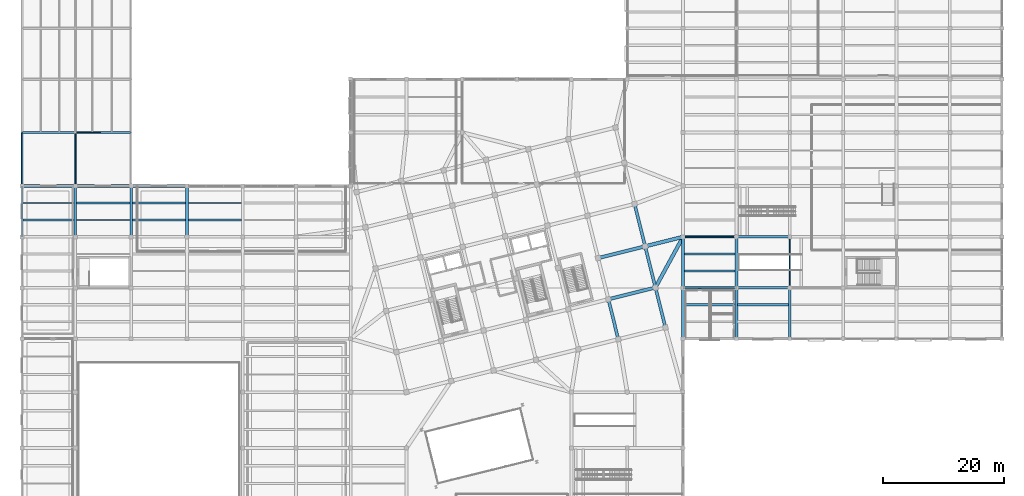
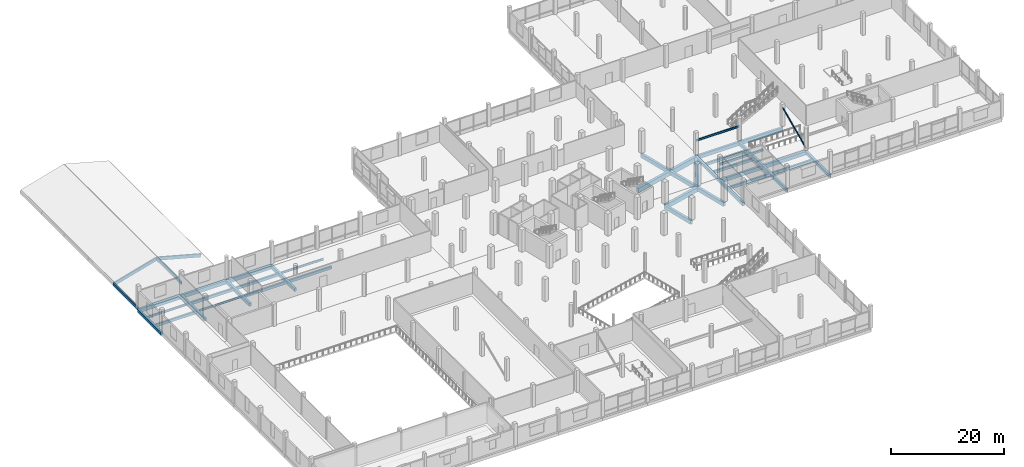
# One storey, part 25 of 71: 42 beams, 1 member.
"""IFC4 building model written with IfcOpenShell, lengths in metres."""

from ifc_helpers import new_model, si_unit, direction, frame, origin, origin_2d, place, context, subcontext, project, spatial, rectangle, hollow_circle, i_section, extrude, material, material_profile, profile_set, type_object, element, save


model = new_model("IFC4")

# Units and contexts
model_context = context("Model", 3, precision=1e-05, world=origin(), true_north=direction((0.0, 1.0)))
body_context = subcontext(model_context, "Body", "Model", "MODEL_VIEW")
ifc_project = project(units=[si_unit("LENGTHUNIT", "METRE"), si_unit("AREAUNIT", "SQUARE_METRE"), si_unit("VOLUMEUNIT", "CUBIC_METRE"), si_unit("PLANEANGLEUNIT", "RADIAN"), si_unit("MASSUNIT", "GRAM", prefix="KILO")], contexts=[model_context])

# Site, building, storey
site_placement = place(None, origin())
site = spatial("IfcSite", under=ifc_project, at=site_placement, CompositionType="ELEMENT")
building_placement = place(site_placement, origin())
building = spatial("IfcBuilding", under=site, at=building_placement, Name="Meriwether Solvik Hall", CompositionType="ELEMENT")
storey_placement = place(building_placement, frame((0.0, 0.0, 5.10009765625)))
storey = spatial("IfcBuildingStorey", under=building, at=storey_placement, Name="L01", CompositionType="ELEMENT", Elevation=5.10009765625)

# Beams
ifc_material_1 = material(Name="Glulam Douglas-Fir 24F-V8 GL28h", Category="wood")
ifc_material_profile_1 = material_profile(ifc_material_1, rectangle(XDim=0.27294921875, YDim=0.610107421875, at=origin_2d()), Name="GLB-273X610")
ifc_profile_set_1 = profile_set([ifc_material_profile_1], Name="Glulam Douglas-Fir 24F-V8 GL28h")
beam_type_1 = type_object("IfcBeamType", Name="BM-GL-273X610", PredefinedType="SPANDREL", material=ifc_profile_set_1)
for number, where, z_axis, x_axis, name in (
    (1, (5.199951171875, 75.199951171875, -0.32421875), (0.0, 1.0, 0.0), (-1.0, 0.0, 0.0), "Roof Tie Beam 1:I-J (L01)"),
    (2, (14.0, 75.199951171875, 2.15576171875), (0.0, 1.0, 0.0), (-1.0, 0.0, 0.0), "Roof Tie Beam 2:I-J (L01)"),
):
    element("IfcBeam", number, at=place(storey_placement, frame(where, z_axis=z_axis, x_axis=x_axis)), inside=storey, type_object=beam_type_1, Name=name, PredefinedType="SPANDREL", context=body_context, shape_type="SweptSolid", body=[
        extrude(rectangle(XDim=0.27294921875, YDim=0.610107421875, at=origin_2d()), origin(), (0.0, 0.0, 1.0), 8.800048828125),
    ])
ifc_material_2 = material(Name="Glulam Douglas-Fir 24F-V8 GL28h", Category="wood")
ifc_material_profile_2 = material_profile(ifc_material_2, rectangle(XDim=0.27294921875, YDim=0.68505859375, at=origin_2d()), Name="GLB-273X685")
ifc_profile_set_2 = profile_set([ifc_material_profile_2], Name="Glulam Douglas-Fir 24F-V8 GL28h")
beam_type_2 = type_object("IfcBeamType", Name="BM-GL-273X685", PredefinedType="BEAM", material=ifc_profile_set_2)
beam_1_placement = place(storey_placement, frame((5.4208984375, 84.0, -0.31298828125), z_axis=(0.962504746474, 0.0, 0.271264839252), x_axis=(0.0, 1.0, 0.0)))
element("IfcBeam", 3, at=beam_1_placement, inside=storey, type_object=beam_type_2, Name="Raking Glulam Roof Rafter w0_gbl_w-J (L01)", PredefinedType="BEAM", context=body_context, shape_type="SweptSolid", body=[
    extrude(rectangle(XDim=0.27294921875, YDim=0.68505859375, at=origin_2d()), origin(), (0.0, 0.0, 1.0), 8.876708984375),
])
beam_2_placement = place(storey_placement, frame((22.98291015625, 84.0, -0.31494140625), z_axis=(-0.965538102736, 0.0, 0.260261737806), x_axis=(0.0, -1.0, 0.0)))
element("IfcBeam", 4, at=beam_2_placement, inside=storey, type_object=beam_type_2, Name="Raking Glulam Roof Rafter w0_gbl_e-J (L01)", PredefinedType="BEAM", context=body_context, shape_type="SweptSolid", body=[
    extrude(rectangle(XDim=0.27294921875, YDim=0.68505859375, at=origin_2d()), origin(), (0.0, 0.0, 1.0), 9.263427734375),
])
ifc_material_3 = material(Name="Concrete C40/50", Category="concrete")
ifc_material_profile_3 = material_profile(ifc_material_3, rectangle(XDim=0.300048828125, YDim=0.449951171875, at=origin_2d()), Name="RCB-300X450")
ifc_profile_set_3 = profile_set([ifc_material_profile_3], Name="Concrete C40/50")
beam_type_3 = type_object("IfcBeamType", Name="BM-RC-300X450", PredefinedType="LINTEL", material=ifc_profile_set_3)
beam_3_placement = place(storey_placement, frame((114.199951171875, 58.39990234375, 2.9248046875), z_axis=(1.0, 0.0, 0.0), x_axis=(0.0, 1.0, 0.0)))
element("IfcBeam", 5, at=beam_3_placement, inside=storey, type_object=beam_type_3, Name="Galleria Portal Lintel G:13-14 (L01)", PredefinedType="LINTEL", context=body_context, shape_type="SweptSolid", body=[
    extrude(rectangle(XDim=0.300048828125, YDim=0.449951171875, at=origin_2d()), origin(), (0.0, 0.0, 1.0), 8.800048828125),
])
ifc_material_4 = material(Name="Concrete C40/50", Category="concrete")
ifc_material_profile_4 = material_profile(ifc_material_4, rectangle(XDim=0.35009765625, YDim=0.60009765625, at=origin_2d()), Name="RCB-350X600")
ifc_profile_set_4 = profile_set([ifc_material_profile_4], Name="Concrete C40/50")
beam_type_4 = type_object("IfcBeamType", Name="BM-RC-350X600", PredefinedType="JOIST", material=ifc_profile_set_4)
beam_4_placement = place(storey_placement, frame((5.39501953125, 69.60009765625, -0.60009765625), z_axis=(1.0, 0.0, 0.0), x_axis=(0.0, 1.0, 0.0)))
element("IfcBeam", 6, at=beam_4_placement, inside=storey, type_object=beam_type_4, Name="Secondary Floor Joist 1/H_J1 (L01)", PredefinedType="JOIST", context=body_context, shape_type="SweptSolid", body=[
    extrude(rectangle(XDim=0.35009765625, YDim=0.60009765625, at=origin_2d()), origin(), (0.0, 0.0, 1.0), 8.385009765625),
])
for number, where, z_axis, x_axis, name in (
    (7, (14.219970703125, 72.39990234375, -0.60009765625), (1.0, 0.0, 0.0), (0.0, 1.0, 0.0), "Secondary Floor Joist 2/H_J2 (L01)"),
    (8, (23.419921875, 69.60009765625, -0.60009765625), (1.0, 0.0, 0.0), (0.0, 1.0, 0.0), "Secondary Floor Joist 3/H_J1 (L01)"),
    (9, (23.419921875, 72.39990234375, -0.60009765625), (1.0, 0.0, 0.0), (0.0, 1.0, 0.0), "Secondary Floor Joist 3/H_J2 (L01)"),
):
    element("IfcBeam", number, at=place(storey_placement, frame(where, z_axis=z_axis, x_axis=x_axis)), inside=storey, type_object=beam_type_4, Name=name, PredefinedType="JOIST", context=body_context, shape_type="SweptSolid", body=[
        extrude(rectangle(XDim=0.35009765625, YDim=0.60009765625, at=origin_2d()), origin(), (0.0, 0.0, 1.0), 8.760009765625),
    ])
beam_5_placement = place(storey_placement, frame((32.6201171875, 69.60009765625, -0.60009765625), z_axis=(1.0, 0.0, 0.0), x_axis=(0.0, 1.0, 0.0)))
element("IfcBeam", 10, at=beam_5_placement, inside=storey, type_object=beam_type_4, Name="Secondary Floor Joist 4/H_J1 (L01)", PredefinedType="JOIST", context=body_context, shape_type="SweptSolid", body=[
    extrude(rectangle(XDim=0.35009765625, YDim=0.60009765625, at=origin_2d()), origin(), (0.0, 0.0, 1.0), 8.759765625),
])
for number, where, z_axis, x_axis, name in (
    (11, (114.419921875, 55.60009765625, -0.60009765625), (1.0, 0.0, 0.0), (0.0, 1.0, 0.0), "Secondary Floor Joist 13/F_J2 (L01)"),
    (12, (114.419921875, 61.199951171875, -0.60009765625), (1.0, 0.0, 0.0), (0.0, 1.0, 0.0), "Secondary Floor Joist 13/G_J1 (L01)"),
    (13, (114.419921875, 64.0, -0.60009765625), (1.0, 0.0, 0.0), (0.0, 1.0, 0.0), "Secondary Floor Joist 13/G_J2 (L01)"),
    (14, (123.219970703125, 55.60009765625, -0.60009765625), (1.0, 0.0, 0.0), (0.0, 1.0, 0.0), "Secondary Floor Joist 14/F_J2 (L01)"),
):
    element("IfcBeam", number, at=place(storey_placement, frame(where, z_axis=z_axis, x_axis=x_axis)), inside=storey, type_object=beam_type_4, Name=name, PredefinedType="JOIST", context=body_context, shape_type="SweptSolid", body=[
        extrude(rectangle(XDim=0.35009765625, YDim=0.60009765625, at=origin_2d()), origin(), (0.0, 0.0, 1.0), 8.360107421875),
    ])
ifc_material_5 = material(Name="Concrete C40/50", Category="concrete")
ifc_material_profile_5 = material_profile(ifc_material_5, rectangle(XDim=0.39990234375, YDim=0.64990234375, at=origin_2d()), Name="RCB-400X650")
ifc_profile_set_5 = profile_set([ifc_material_profile_5], Name="Concrete C40/50")
beam_type_5 = type_object("IfcBeamType", Name="BM-RC-400X650", PredefinedType="SPANDREL", material=ifc_profile_set_5)
beam_6_placement = place(storey_placement, frame((5.199951171875, 66.800048828125, -0.625), z_axis=(0.0, 1.0, 0.0), x_axis=(-1.0, 0.0, 0.0)))
element("IfcBeam", 15, at=beam_6_placement, inside=storey, type_object=beam_type_5, Name="Podium Girder 1:H-I (L01)", PredefinedType="SPANDREL", context=body_context, shape_type="SweptSolid", body=[
    extrude(rectangle(XDim=0.39990234375, YDim=0.64990234375, at=origin_2d()), origin(), (0.0, 0.0, 1.0), 8.39990234375),
])
ifc_material_6 = material(Name="Concrete C40/50", Category="concrete")
ifc_material_profile_6 = material_profile(ifc_material_6, rectangle(XDim=0.449951171875, YDim=0.699951171875, at=origin_2d()), Name="RCB-450X700")
ifc_profile_set_6 = profile_set([ifc_material_profile_6], Name="Concrete C40/50")
beam_type_6 = type_object("IfcBeamType", Name="BM-RC-450X700", PredefinedType="BEAM", material=ifc_profile_set_6)
for number, where, z_axis, x_axis, name in (
    (16, (14.0, 66.800048828125, -0.650146484375), (0.0, 1.0, 0.0), (-1.0, 0.0, 0.0), "Podium Girder 2:H-I (L01)"),
    (17, (23.199951171875, 66.800048828125, -0.650146484375), (0.0, 1.0, 0.0), (-1.0, 0.0, 0.0), "Podium Girder 3:H-I (L01)"),
    (18, (32.39990234375, 66.800048828125, -0.650146484375), (0.0, 1.0, 0.0), (-1.0, 0.0, 0.0), "Podium Girder 4:H-I (L01)"),
    (19, (114.199951171875, 50.0, -0.650146484375), (0.0, 1.0, 0.0), (-1.0, 0.0, 0.0), "Podium Girder 13:F-G (L01)"),
):
    element("IfcBeam", number, at=place(storey_placement, frame(where, z_axis=z_axis, x_axis=x_axis)), inside=storey, type_object=beam_type_6, Name=name, PredefinedType="BEAM", context=body_context, shape_type="SweptSolid", body=[
        extrude(rectangle(XDim=0.449951171875, YDim=0.699951171875, at=origin_2d()), origin(), (0.0, 0.0, 1.0), 8.39990234375),
    ])
beam_7_placement = place(storey_placement, frame((114.199951171875, 58.39990234375, -0.650146484375), z_axis=(0.0, 1.0, 0.0), x_axis=(-1.0, 0.0, 0.0)))
element("IfcBeam", 20, at=beam_7_placement, inside=storey, type_object=beam_type_6, Name="Podium Girder 13:G-H (L01)", PredefinedType="BEAM", context=body_context, shape_type="SweptSolid", body=[
    extrude(rectangle(XDim=0.449951171875, YDim=0.699951171875, at=origin_2d()), origin(), (0.0, 0.0, 1.0), 8.400146484375),
])
beam_8_placement = place(storey_placement, frame((123.0, 50.0, -0.650146484375), z_axis=(0.0, 1.0, 0.0), x_axis=(-1.0, 0.0, 0.0)))
element("IfcBeam", 21, at=beam_8_placement, inside=storey, type_object=beam_type_6, Name="Podium Girder 14:F-G (L01)", PredefinedType="BEAM", context=body_context, shape_type="SweptSolid", body=[
    extrude(rectangle(XDim=0.449951171875, YDim=0.699951171875, at=origin_2d()), origin(), (0.0, 0.0, 1.0), 8.39990234375),
])
beam_9_placement = place(storey_placement, frame((123.0, 58.39990234375, -0.650146484375), z_axis=(0.0, 1.0, 0.0), x_axis=(-1.0, 0.0, 0.0)))
element("IfcBeam", 22, at=beam_9_placement, inside=storey, type_object=beam_type_6, Name="Podium Girder 14:G-H (L01)", PredefinedType="BEAM", context=body_context, shape_type="SweptSolid", body=[
    extrude(rectangle(XDim=0.449951171875, YDim=0.699951171875, at=origin_2d()), origin(), (0.0, 0.0, 1.0), 8.400146484375),
])
beam_10_placement = place(storey_placement, frame((131.800048828125, 50.0, -0.650146484375), z_axis=(0.0, 1.0, 0.0), x_axis=(-1.0, 0.0, 0.0)))
element("IfcBeam", 23, at=beam_10_placement, inside=storey, type_object=beam_type_6, Name="Podium Girder 15:F-G (L01)", PredefinedType="BEAM", context=body_context, shape_type="SweptSolid", body=[
    extrude(rectangle(XDim=0.449951171875, YDim=0.699951171875, at=origin_2d()), origin(), (0.0, 0.0, 1.0), 8.39990234375),
])
ifc_material_7 = material(Name="Concrete C40/50", Category="concrete")
ifc_material_profile_7 = material_profile(ifc_material_7, rectangle(XDim=0.449951171875, YDim=0.800048828125, at=origin_2d()), Name="RCB-450X800")
ifc_profile_set_7 = profile_set([ifc_material_profile_7], Name="Concrete C40/50")
beam_type_7 = type_object("IfcBeamType", Name="BM-RC-450X800", PredefinedType="BEAM", material=ifc_profile_set_7)
for number, where, z_axis, x_axis, name in (
    (24, (114.199951171875, 58.39990234375, -0.7001953125), (1.0, 0.0, 0.0), (0.0, 1.0, 0.0), "Podium Girder G:13-14 (L01)"),
    (25, (123.0, 58.39990234375, -0.7001953125), (1.0, 0.0, 0.0), (0.0, 1.0, 0.0), "Podium Girder G:14-15 (L01)"),
    (26, (114.199951171875, 66.800048828125, -0.7001953125), (1.0, 0.0, 0.0), (0.0, 1.0, 0.0), "Podium Girder H:13-14 (L01)"),
    (27, (123.0, 66.800048828125, -0.7001953125), (1.0, 0.0, 0.0), (0.0, 1.0, 0.0), "Podium Girder H:14-15 (L01)"),
    (28, (5.199951171875, 75.199951171875, -0.7001953125), (1.0, 0.0, 0.0), (0.0, 1.0, 0.0), "Podium Girder I:1-2 (L01)"),
):
    element("IfcBeam", number, at=place(storey_placement, frame(where, z_axis=z_axis, x_axis=x_axis)), inside=storey, type_object=beam_type_7, Name=name, PredefinedType="BEAM", context=body_context, shape_type="SweptSolid", body=[
        extrude(rectangle(XDim=0.449951171875, YDim=0.800048828125, at=origin_2d()), origin(), (0.0, 0.0, 1.0), 8.800048828125),
    ])
for number, where, z_axis, x_axis, name in (
    (29, (14.0, 75.199951171875, -0.7001953125), (1.0, 0.0, 0.0), (0.0, 1.0, 0.0), "Podium Girder I:2-3 (L01)"),
    (30, (23.199951171875, 75.199951171875, -0.7001953125), (1.0, 0.0, 0.0), (0.0, 1.0, 0.0), "Podium Girder I:3-4 (L01)"),
):
    element("IfcBeam", number, at=place(storey_placement, frame(where, z_axis=z_axis, x_axis=x_axis)), inside=storey, type_object=beam_type_7, Name=name, PredefinedType="BEAM", context=body_context, shape_type="SweptSolid", body=[
        extrude(rectangle(XDim=0.449951171875, YDim=0.800048828125, at=origin_2d()), origin(), (0.0, 0.0, 1.0), 9.199951171875),
    ])
ifc_material_8 = material(Name="Concrete C40/50", Category="concrete")
ifc_material_profile_8 = material_profile(ifc_material_8, rectangle(XDim=0.5, YDim=0.85009765625, at=origin_2d()), Name="RCB-500X850")
ifc_profile_set_8 = profile_set([ifc_material_profile_8], Name="Concrete C40/50")
beam_type_8 = type_object("IfcBeamType", Name="BM-RC-500X850", PredefinedType="BEAM", material=ifc_profile_set_8)
for number, where, z_axis, x_axis, name in (
    (31, (103.53076171875, 49.9091796875, -0.72509765625), (-0.2419526798, 0.970288050394, 0.0), (-0.970288050394, -0.2419526798, 0.0), "Tower Girder T6:TA-TB (L01)"),
    (32, (111.29296875, 51.844482421875, -0.72509765625), (-0.24191045034, 0.970298579828, 0.0), (-0.970298579828, -0.24191045034, 0.0), "Tower Girder T7:TA-TB (L01)"),
):
    element("IfcBeam", number, at=place(storey_placement, frame(where, z_axis=z_axis, x_axis=x_axis)), inside=storey, type_object=beam_type_8, Name=name, PredefinedType="BEAM", context=body_context, shape_type="SweptSolid", body=[
        extrude(rectangle(XDim=0.5, YDim=0.85009765625, at=origin_2d()), origin(), (0.0, 0.0, 1.0), 6.800048828125),
    ])
beam_11_placement = place(storey_placement, frame((109.64794921875, 58.442626953125, -0.72509765625), z_axis=(-0.241911879182, 0.970298223594, 0.0), x_axis=(-0.970298223594, -0.241911879182, 0.0)))
element("IfcBeam", 33, at=beam_11_placement, inside=storey, type_object=beam_type_8, Name="Tower Girder T7:TB-TC (L01)", PredefinedType="BEAM", context=body_context, shape_type="SweptSolid", body=[
    extrude(rectangle(XDim=0.5, YDim=0.85009765625, at=origin_2d()), origin(), (0.0, 0.0, 1.0), 7.0),
])
beam_12_placement = place(storey_placement, frame((107.95458984375, 65.234619140625, -0.72509765625), z_axis=(-0.241937193493, 0.970291911955, 0.0), x_axis=(-0.970291911955, -0.241937193493, 0.0)))
element("IfcBeam", 34, at=beam_12_placement, inside=storey, type_object=beam_type_8, Name="Tower Girder T7:TC-TD (L01)", PredefinedType="BEAM", context=body_context, shape_type="SweptSolid", body=[
    extrude(rectangle(XDim=0.5, YDim=0.85009765625, at=origin_2d()), origin(), (0.0, 0.0, 1.0), 7.199951171875),
])
ifc_material_9 = material(Name="Concrete C40/50", Category="concrete")
ifc_material_profile_9 = material_profile(ifc_material_9, rectangle(XDim=0.550048828125, YDim=0.949951171875, at=origin_2d()), Name="RCB-550X950")
ifc_profile_set_9 = profile_set([ifc_material_profile_9], Name="Concrete C40/50")
beam_type_9 = type_object("IfcBeamType", Name="BM-RC-550X950", PredefinedType="BEAM", material=ifc_profile_set_9)
beam_13_placement = place(storey_placement, frame((101.885498046875, 56.507080078125, -0.775146484375), z_axis=(0.970291312354, 0.241939598187, 0.0), x_axis=(-0.241939598187, 0.970291312354, 0.0)))
element("IfcBeam", 35, at=beam_13_placement, inside=storey, type_object=beam_type_9, Name="Tower Girder TB:T6-T7 (L01)", PredefinedType="BEAM", context=body_context, shape_type="SweptSolid", body=[
    extrude(rectangle(XDim=0.550048828125, YDim=0.949951171875, at=origin_2d()), origin(), (0.0, 0.0, 1.0), 8.000244140625),
])
beam_14_placement = place(storey_placement, frame((100.192138671875, 63.29931640625, -0.775146484375), z_axis=(0.970298475929, 0.241910867076, 0.0), x_axis=(-0.241910867076, 0.970298475929, 0.0)))
element("IfcBeam", 36, at=beam_14_placement, inside=storey, type_object=beam_type_9, Name="Tower Girder TC:T6-T7 (L01)", PredefinedType="BEAM", context=body_context, shape_type="SweptSolid", body=[
    extrude(rectangle(XDim=0.550048828125, YDim=0.949951171875, at=origin_2d()), origin(), (0.0, 0.0, 1.0), 8.0),
])
ifc_material_10 = material(Name="Concrete C40/50", Category="concrete")
ifc_material_profile_10 = material_profile(ifc_material_10, rectangle(XDim=0.60009765625, YDim=1.050048828125, at=origin_2d()), Name="RCB-600X1050")
ifc_profile_set_10 = profile_set([ifc_material_profile_10], Name="Concrete C40/50")
beam_type_10 = type_object("IfcBeamType", Name="BM-RC-600X1050", PredefinedType="BEAM", material=ifc_profile_set_10)
beam_15_placement = place(storey_placement, frame((109.64794921875, 58.442626953125, -0.8251953125), z_axis=(0.478318210879, 0.878186591301, 0.0), x_axis=(-0.878186591301, 0.478318210879, 0.0)))
element("IfcBeam", 37, at=beam_15_placement, inside=storey, type_object=beam_type_10, Name="Diaphragm Collector Girder T7/TB-13/H (L01)", PredefinedType="BEAM", context=body_context, shape_type="SweptSolid", body=[
    extrude(rectangle(XDim=0.60009765625, YDim=1.050048828125, at=origin_2d()), origin(), (0.0, 0.0, 1.0), 9.5166015625),
])
beam_16_placement = place(storey_placement, frame((107.95458984375, 65.234619140625, -0.8251953125), z_axis=(0.969992872522, 0.243133352825, 0.0), x_axis=(-0.243133352825, 0.969992872522, 0.0)))
element("IfcBeam", 38, at=beam_16_placement, inside=storey, type_object=beam_type_10, Name="Diaphragm Collector Girder T7/TC-13/H (L01)", PredefinedType="BEAM", context=body_context, shape_type="SweptSolid", body=[
    extrude(rectangle(XDim=0.60009765625, YDim=1.050048828125, at=origin_2d()), origin(), (0.0, 0.0, 1.0), 6.4384765625),
])
ifc_material_11 = material(Name="Steel A992 Grade 50", Category="steel")
ifc_material_profile_11 = material_profile(ifc_material_11, i_section(OverallWidth=0.180908203125, OverallDepth=0.4169921875, WebThickness=0.010986328125, FlangeThickness=0.018310546875, at=origin_2d()), Name="W16X57")
ifc_profile_set_11 = profile_set([ifc_material_profile_11], Name="Steel A992 Grade 50")
beam_type_11 = type_object("IfcBeamType", Name="BM-STL-W16X57", PredefinedType="LINTEL", material=ifc_profile_set_11)
beam_17_placement = place(storey_placement, frame((114.199951171875, 66.800048828125, 2.94140625), z_axis=(1.0, 0.0, 0.0), x_axis=(0.0, 1.0, 0.0)))
element("IfcBeam", 39, at=beam_17_placement, inside=storey, type_object=beam_type_11, Name="Galleria Portal Lintel H:13-14 (L01)", PredefinedType="LINTEL", context=body_context, shape_type="SweptSolid", body=[
    extrude(i_section(OverallWidth=0.180908203125, OverallDepth=0.4169921875, WebThickness=0.010986328125, FlangeThickness=0.018310546875, at=origin_2d()), origin(), (0.0, 0.0, 1.0), 8.800048828125),
])
ifc_material_12 = material(Name="Steel A992 Grade 50", Category="steel")
ifc_material_profile_12 = material_profile(ifc_material_12, i_section(OverallWidth=0.19091796875, OverallDepth=0.45703125, WebThickness=0.009033203125, FlangeThickness=0.014404296875, at=origin_2d()), Name="W18X50")
ifc_profile_set_12 = profile_set([ifc_material_profile_12], Name="Steel A992 Grade 50")
beam_type_12 = type_object("IfcBeamType", Name="BM-STL-W18X50", PredefinedType="JOIST", material=ifc_profile_set_12)
beam_18_placement = place(storey_placement, frame((5.39501953125, 72.39990234375, -0.528564453125), z_axis=(1.0, 0.0, 0.0), x_axis=(0.0, 1.0, 0.0)))
element("IfcBeam", 40, at=beam_18_placement, inside=storey, type_object=beam_type_12, Name="Secondary Floor Joist 1/H_J2 (L01)", PredefinedType="JOIST", context=body_context, shape_type="SweptSolid", body=[
    extrude(i_section(OverallWidth=0.19091796875, OverallDepth=0.45703125, WebThickness=0.009033203125, FlangeThickness=0.014404296875, at=origin_2d()), origin(), (0.0, 0.0, 1.0), 8.385009765625),
])
beam_19_placement = place(storey_placement, frame((14.219970703125, 69.60009765625, -0.528564453125), z_axis=(1.0, 0.0, 0.0), x_axis=(0.0, 1.0, 0.0)))
element("IfcBeam", 41, at=beam_19_placement, inside=storey, type_object=beam_type_12, Name="Secondary Floor Joist 2/H_J1 (L01)", PredefinedType="JOIST", context=body_context, shape_type="SweptSolid", body=[
    extrude(i_section(OverallWidth=0.19091796875, OverallDepth=0.45703125, WebThickness=0.009033203125, FlangeThickness=0.014404296875, at=origin_2d()), origin(), (0.0, 0.0, 1.0), 8.760009765625),
])
beam_20_placement = place(storey_placement, frame((32.6201171875, 72.39990234375, -0.528564453125), z_axis=(1.0, 0.0, 0.0), x_axis=(0.0, 1.0, 0.0)))
element("IfcBeam", 42, at=beam_20_placement, inside=storey, type_object=beam_type_12, Name="Secondary Floor Joist 4/H_J2 (L01)", PredefinedType="JOIST", context=body_context, shape_type="SweptSolid", body=[
    extrude(i_section(OverallWidth=0.19091796875, OverallDepth=0.45703125, WebThickness=0.009033203125, FlangeThickness=0.014404296875, at=origin_2d()), origin(), (0.0, 0.0, 1.0), 8.759765625),
])

# Member
ifc_material_13 = material(Name="Steel A500 Grade C", Category="steel")
ifc_material_profile_13 = material_profile(ifc_material_13, hollow_circle(Radius=0.136474609375, WallThickness=0.0126953125, at=origin_2d()), Name="CHS273X12.7")
ifc_profile_set_13 = profile_set([ifc_material_profile_13], Name="Steel A500 Grade C")
member_type = type_object("IfcMemberType", Name="MEM-BR-CHS273", PredefinedType="BRACE", material=ifc_profile_set_13)
member_placement = place(storey_placement, frame((131.800048828125, 58.39990234375, 0.14990234375), z_axis=(0.0, 0.910292166863, 0.413966388668), x_axis=(-1.0, 0.0, 0.0)))
element("IfcMember", 43, at=member_placement, inside=storey, type_object=member_type, Name="Podium Diagonal Brace L01-PB3", PredefinedType="BRACE", context=body_context, shape_type="SweptSolid", body=[
    extrude(hollow_circle(Radius=0.136474609375, WallThickness=0.0126953125, at=origin_2d()), origin(), (0.0, 0.0, 1.0), 9.22802734375),
])

save(model, "model.ifc")
